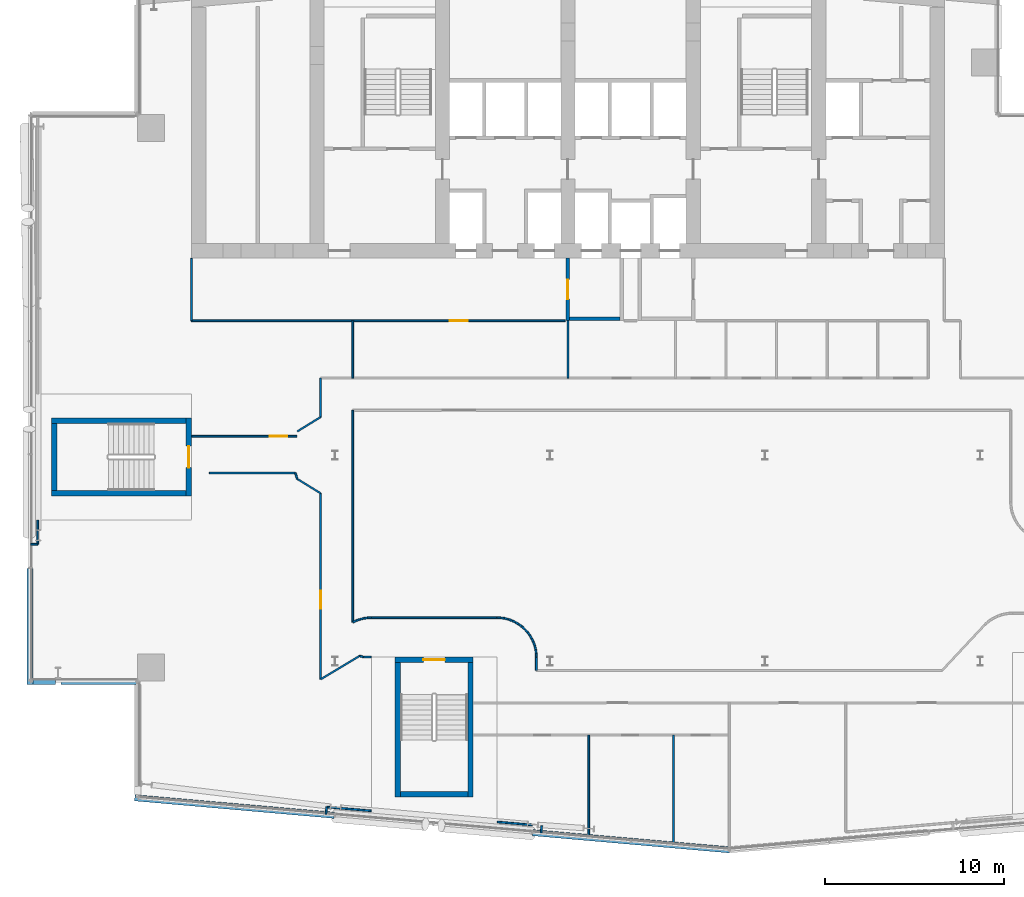
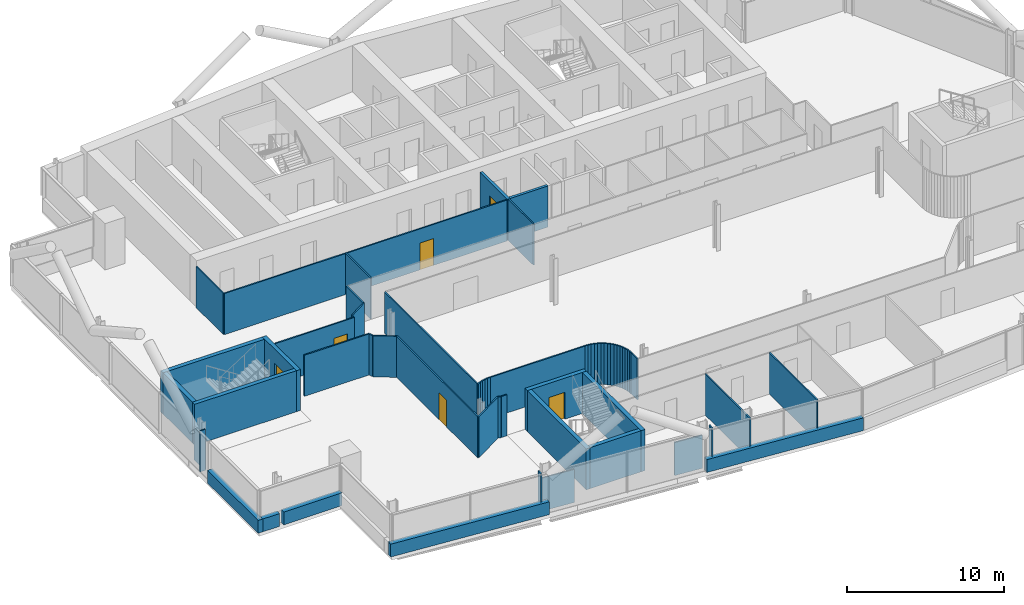
# One storey, part 15 of 29: 61 walls, 6 doors, 6 openings.
"""IFC4 building model written with IfcOpenShell, lengths in metres."""

import ifcopenshell
import ifcopenshell.guid

model = None  # the IFC model being written
_history = None  # IfcOwnerHistory: only IFC2X3 demands one
_inside = {}  # id of a spatial element -> (the spatial element, [elements in it])
_under = {}  # id of a project, library or spatial element -> (it, [spatial elements below it])
_declared = {}  # id of a project -> (the project, [libraries it declares])
_typed = {}  # id of a type object -> (the type object, [elements of that type])
_made_of = {}  # id of a material, layer set ... -> (it, [elements and type objects made of it])


def new_model(schema):
    """Start an empty IFC model of exactly this schema.

    Asked for "IFC4X3", IfcOpenShell would pick the latest addendum, in which some entities
    have other attributes; the version numbers below select the first issue.
    IFC2X3 requires an IfcOwnerHistory on every rooted entity: one is made here for all.
    """
    global model, _history
    if schema == "IFC4X3":
        model = ifcopenshell.file(schema_version=(4, 3, 0, 0))
    else:
        model = ifcopenshell.file(schema=schema)
    _inside.clear()
    _under.clear()
    _declared.clear()
    _typed.clear()
    _made_of.clear()
    _history = None
    if model.schema == "IFC2X3":
        org = make("IfcOrganization", Name="unknown")
        user = make(
            "IfcPersonAndOrganization",
            ThePerson=make("IfcPerson", FamilyName="unknown"),
            TheOrganization=org,
        )
        app = make(
            "IfcApplication",
            ApplicationDeveloper=org,
            Version="unknown",
            ApplicationFullName="unknown",
            ApplicationIdentifier="unknown",
        )
        _history = make(
            "IfcOwnerHistory",
            OwningUser=user,
            OwningApplication=app,
            ChangeAction="ADDED",
            CreationDate=0,
        )
    return model


def make(cls, **values):
    """One entity of the class cls with the attributes given. An attribute that is None is left unset."""
    return model.create_entity(
        cls, **{name: value for name, value in values.items() if value is not None}
    )


def rooted(cls, **values):
    """An entity with a GlobalId (a new one), such as an element, a storey or a relation."""
    return make(cls, GlobalId=ifcopenshell.guid.new(), OwnerHistory=_history, **values)


def si_unit(unit_type, name, prefix=None):
    """IfcSIUnit, for example si_unit("LENGTHUNIT", "METRE", prefix="MILLI")."""
    return make("IfcSIUnit", UnitType=unit_type, Prefix=prefix, Name=name)


def assignment(units):
    """IfcUnitAssignment: the units of a project."""
    return None if units is None else make("IfcUnitAssignment", Units=units)


def point(xyz):
    """IfcCartesianPoint."""
    return None if xyz is None else make("IfcCartesianPoint", Coordinates=xyz)


def direction(xyz):
    """IfcDirection."""
    return None if xyz is None else make("IfcDirection", DirectionRatios=xyz)


def frame(location, z_axis=None, x_axis=None):
    """IfcAxis2Placement3D, a coordinate frame: its origin and axes. An axis left out is left unset."""
    return make(
        "IfcAxis2Placement3D",
        Location=point(location),
        Axis=direction(z_axis),
        RefDirection=direction(x_axis),
    )


def frame_2d(location, x_axis=None):
    """IfcAxis2Placement2D, a coordinate frame in the plane: its origin and x axis."""
    return make(
        "IfcAxis2Placement2D", Location=point(location), RefDirection=direction(x_axis)
    )


def origin():
    """The frame at (0, 0, 0) with its axes left unset."""
    return frame((0.0, 0.0, 0.0))


def place(relative_to, where):
    """IfcLocalPlacement: puts the frame where relative to a parent placement (None: the world)."""
    return make(
        "IfcLocalPlacement", PlacementRelTo=relative_to, RelativePlacement=where
    )


def context(
    kind, dimensions, precision=None, world=None, true_north=None, identifier=None
):
    """IfcGeometricRepresentationContext, for example the 3D "Model" context."""
    return make(
        "IfcGeometricRepresentationContext",
        ContextIdentifier=identifier,
        ContextType=kind,
        CoordinateSpaceDimension=dimensions,
        Precision=precision,
        WorldCoordinateSystem=world,
        TrueNorth=true_north,
    )


def subcontext(parent, identifier, kind, view, scale=None):
    """IfcGeometricRepresentationSubContext, for example "Body" below "Model"."""
    return make(
        "IfcGeometricRepresentationSubContext",
        ContextIdentifier=identifier,
        ContextType=kind,
        ParentContext=parent,
        TargetScale=scale,
        TargetView=view,
    )


def project(units=None, contexts=None):
    """IfcProject with its units and contexts."""
    return rooted(
        "IfcProject",
        Name="project",
        RepresentationContexts=contexts,
        UnitsInContext=assignment(units),
    )


def spatial(cls, under=None, at=None, **own):
    """A site, building, storey or space (cls), placed at a placement, below another one or the project."""
    s = rooted(cls, ObjectPlacement=at, **own)
    if under is not None:
        _under.setdefault(under.id(), (under, []))[1].append(s)
    return s


def profile(cls, at=None, kind="AREA", **sizes):
    """A parametric profile (cls). Its sizes go by their IFC names, for example OverallWidth=200.0."""
    return make(cls, ProfileType=kind, Position=at, **sizes)


def rectangle(**sizes):
    """IfcRectangleProfileDef."""
    return profile("IfcRectangleProfileDef", **sizes)


def extrude(swept, where, along, depth):
    """IfcExtrudedAreaSolid: the profile swept, set in the frame where, extruded along a direction by depth."""
    return make(
        "IfcExtrudedAreaSolid",
        SweptArea=swept,
        Position=where,
        ExtrudedDirection=direction(along),
        Depth=depth,
    )


def shape(context_of_items, identifier, shape_type, items):
    """IfcShapeRepresentation: the items that make up one representation, for example the "Body"."""
    return make(
        "IfcShapeRepresentation",
        ContextOfItems=context_of_items,
        RepresentationIdentifier=identifier,
        RepresentationType=shape_type,
        Items=items,
    )


def material(Name=None, Category=None):
    """IfcMaterial."""
    return make("IfcMaterial", Name=Name, Category=Category)


def layer(
    of_material, thickness, ventilated=None, Name=None, Category=None, Priority=None
):
    """IfcMaterialLayer: one layer of a wall or slab, of a material (None: an air gap)."""
    return make(
        "IfcMaterialLayer",
        Material=of_material,
        LayerThickness=thickness,
        IsVentilated=ventilated,
        Name=Name,
        Category=Category,
        Priority=Priority,
    )


def layer_set(layers, Name=None):
    """IfcMaterialLayerSet."""
    return make("IfcMaterialLayerSet", MaterialLayers=layers, LayerSetName=Name)


def made_of(thing, what):
    """Note that an element or type object is made of a material, layer set ...; save() writes the relation."""
    if what is not None:
        _made_of.setdefault(what.id(), (what, []))[1].append(thing)
    return thing


def type_object(cls, material=None, **own):
    """A type object (cls), such as IfcWallType, which elements share."""
    return made_of(rooted(cls, **own), material)


def element(
    cls,
    number,
    at=None,
    inside=None,
    cuts=None,
    type_object=None,
    material=None,
    context=None,
    identifier="Body",
    shape_type=None,
    held_by="IfcProductDefinitionShape",
    body=None,
    shapes=None,
    **own,
):
    """One element of the class cls, such as IfcWall. Its Tag is "e" and its number.

    at: its placement. inside: the storey or other place that contains it. cuts: it is an
    opening in that element (IfcRelVoidsElement). A single representation is given by context,
    identifier, shape_type and body (its items); several are given by shapes. held_by: the class
    of the entity that holds the representations. save() writes the other relations.
    """
    e = rooted(cls, Tag="e%d" % number, ObjectPlacement=at, **own)
    if body is not None:
        shapes = [shape(context, identifier, shape_type, body)]
    if shapes is not None:
        e.Representation = make(held_by, Representations=shapes)
    if inside is not None:
        _inside.setdefault(inside.id(), (inside, []))[1].append(e)
    if cuts is not None:
        rooted(
            "IfcRelVoidsElement", RelatingBuildingElement=cuts, RelatedOpeningElement=e
        )
    if type_object is not None:
        _typed.setdefault(type_object.id(), (type_object, []))[1].append(e)
    return made_of(e, material)


def fill(opening, filler):
    """IfcRelFillsElement: the door or window that sits in an opening."""
    return rooted(
        "IfcRelFillsElement",
        RelatingOpeningElement=opening,
        RelatedBuildingElement=filler,
    )


def aggregate(whole, parts):
    """IfcRelAggregates: a whole, such as a stair, and the parts it consists of."""
    return rooted("IfcRelAggregates", RelatingObject=whole, RelatedObjects=parts)


def save(model, path):
    """Write the relations noted so far, then the file.

    IfcRelAggregates (storeys below a building ...), IfcRelContainedInSpatialStructure (elements
    in a storey), IfcRelDefinesByType, IfcRelAssociatesMaterial and IfcRelDeclares: one each for
    every whole, place, type object, material and project.
    """
    for whole, parts in _under.values():
        aggregate(whole, parts)
    for where, things in _inside.values():
        rooted(
            "IfcRelContainedInSpatialStructure",
            RelatedElements=things,
            RelatingStructure=where,
        )
    for kind, things in _typed.values():
        rooted("IfcRelDefinesByType", RelatedObjects=things, RelatingType=kind)
    for what, things in _made_of.values():
        rooted("IfcRelAssociatesMaterial", RelatedObjects=things, RelatingMaterial=what)
    for by, libraries in _declared.values():
        rooted("IfcRelDeclares", RelatingContext=by, RelatedDefinitions=libraries)
    model.write(path)


model = new_model("IFC4")

# Units and contexts
model_context = context("Model", 3, precision=1e-05, world=origin(), true_north=direction((0.0, 1.0)))
body_context = subcontext(model_context, "Body", "Model", "MODEL_VIEW")
ifc_project = project(units=[si_unit("LENGTHUNIT", "METRE"), si_unit("AREAUNIT", "SQUARE_METRE"), si_unit("VOLUMEUNIT", "CUBIC_METRE"), si_unit("PLANEANGLEUNIT", "RADIAN"), si_unit("MASSUNIT", "GRAM", prefix="KILO")], contexts=[model_context])

# Site, building, storey
site_placement = place(None, origin())
site = spatial("IfcSite", under=ifc_project, at=site_placement, CompositionType="ELEMENT")
building_placement = place(site_placement, origin())
building = spatial("IfcBuilding", under=site, at=building_placement, Name="Wharfspan Tower", CompositionType="ELEMENT")
storey_placement = place(building_placement, frame((0.0, 0.0, 162.699951)))
storey = spatial("IfcBuildingStorey", under=building, at=storey_placement, Name="L39", CompositionType="ELEMENT", Elevation=162.699951)

# Wall
ifc_material_1 = material(Name="Gypsum board on steel studs", Category="steel")
ifc_layer_1 = layer(ifc_material_1, 0.100098)
ifc_layer_set_1 = layer_set([ifc_layer_1], Name="Gypsum board on steel studs")
wall_type_1 = type_object("IfcWallType", Name="Compartment wall 100 EI 60", PredefinedType="PARTITIONING", material=ifc_layer_set_1)
wall_1_placement = place(storey_placement, frame((16.0, 30.5, 0.0), z_axis=(0.0, 0.0, 1.0), x_axis=(0.0, 1.0, 0.0)))
element("IfcWall", 1, at=wall_1_placement, inside=storey, type_object=wall_type_1, Name="Partition L39.w004", PredefinedType="PARTITIONING", context=body_context, shape_type="SweptSolid", body=[
    extrude(rectangle(XDim=3.47998, YDim=0.100098, at=frame_2d((1.73999, 0.0))), origin(), (0.0, 0.0, 1.0), 3.199951),
])

# Wall, opening, door
wall_2_placement = place(storey_placement, frame((16.0, 30.5, 0.0), z_axis=(0.0, 0.0, 1.0), x_axis=(1.0, 0.0, 0.0)))
wall_2 = element("IfcWall", 2, at=wall_2_placement, inside=storey, type_object=wall_type_1, Name="Partition L39.w005", PredefinedType="PARTITIONING", context=body_context, shape_type="SweptSolid", body=[
    extrude(rectangle(XDim=20.850098, YDim=0.100098, at=frame_2d((10.425049, 0.0))), origin(), (0.0, 0.0, 1.0), 3.199951),
])
opening_1_placement = place(wall_2_placement, frame((14.419922, 0.0, 0.0)))
opening_1 = element("IfcOpeningElement", 3, at=opening_1_placement, cuts=wall_2, Name="Opening C2-18", PredefinedType="OPENING", context=body_context, shape_type="SweptSolid", body=[
    extrude(rectangle(XDim=1.0, YDim=2.100098, at=frame_2d((0.5, 1.050049))), frame((0.0, 0.060059, 0.0), z_axis=(0.0, -1.0, 0.0), x_axis=(1.0, 0.0, 0.0)), (0.0, 0.0, 1.0), 0.120117),
])
ifc_material_2 = material(Name="Fire-rated timber door leaf in steel frame", Category="steel")
door_type_1 = type_object("IfcDoorType", Name="Door 1000 FD30S Left", OperationType="SINGLE_SWING_LEFT", PredefinedType="DOOR", material=ifc_material_2)
door_1_placement = place(opening_1_placement, origin())
door_1 = element("IfcDoor", 4, at=door_1_placement, inside=storey, type_object=door_type_1, Name="Door C2-18", OperationType="SINGLE_SWING_LEFT", OverallHeight=2.100098, OverallWidth=1.0, PredefinedType="DOOR", context=body_context, shape_type="SweptSolid", body=[
    extrude(rectangle(XDim=1.0, YDim=2.100098, at=frame_2d((0.5, 1.050049))), frame((0.0, 0.024902, 0.0), z_axis=(0.0, -1.0, 0.0), x_axis=(1.0, 0.0, 0.0)), (0.0, 0.0, 1.0), 0.050049),
])
fill(opening_1, door_1)

# Wall
wall_3_placement = place(storey_placement, frame((17.0, 22.0, 0.0), z_axis=(0.0, 0.0, 1.0), x_axis=(1.0, 0.0, 0.0)))
element("IfcWall", 5, at=wall_3_placement, inside=storey, type_object=wall_type_1, Name="Partition L39.w006", PredefinedType="PARTITIONING", context=body_context, shape_type="SweptSolid", body=[
    extrude(rectangle(XDim=4.794922, YDim=0.100098, at=frame_2d((2.397461, 0.0))), origin(), (0.0, 0.0, 1.0), 3.199951),
])

# Wall, opening, door
wall_4_placement = place(storey_placement, frame((16.02002, 24.050049, 0.0), z_axis=(0.0, 0.0, 1.0), x_axis=(1.0, 0.0, 0.0)))
wall_4 = element("IfcWall", 6, at=wall_4_placement, inside=storey, type_object=wall_type_1, Name="Partition L39.w007", PredefinedType="PARTITIONING", context=body_context, shape_type="SweptSolid", body=[
    extrude(rectangle(XDim=5.85498, YDim=0.100098, at=frame_2d((2.92749, 0.0))), origin(), (0.0, 0.0, 1.0), 3.199951),
])
opening_2_placement = place(wall_4_placement, frame((4.33252, 0.0, 0.0)))
opening_2 = element("IfcOpeningElement", 7, at=opening_2_placement, cuts=wall_4, Name="Opening C2-09", PredefinedType="OPENING", context=body_context, shape_type="SweptSolid", body=[
    extrude(rectangle(XDim=1.0, YDim=2.100098, at=frame_2d((0.5, 1.050049))), frame((0.0, 0.060059, 0.0), z_axis=(0.0, -1.0, 0.0), x_axis=(1.0, 0.0, 0.0)), (0.0, 0.0, 1.0), 0.120117),
])
door_type_2 = type_object("IfcDoorType", Name="Door 1000 FD30S Right", OperationType="SINGLE_SWING_RIGHT", PredefinedType="DOOR", material=ifc_material_2)
door_2_placement = place(opening_2_placement, origin())
door_2 = element("IfcDoor", 8, at=door_2_placement, inside=storey, type_object=door_type_2, Name="Door C2-09", OperationType="SINGLE_SWING_RIGHT", OverallHeight=2.100098, OverallWidth=1.0, PredefinedType="DOOR", context=body_context, shape_type="SweptSolid", body=[
    extrude(rectangle(XDim=1.0, YDim=2.100098, at=frame_2d((0.5, 1.050049))), frame((0.0, 0.024902, 0.0), z_axis=(0.0, -1.0, 0.0), x_axis=(1.0, 0.0, 0.0)), (0.0, 0.0, 1.0), 0.050049),
])
fill(opening_2, door_2)

# Walls
wall_5_placement = place(storey_placement, frame((21.899902, 21.675049, 0.0), z_axis=(0.0, 0.0, 1.0), x_axis=(-0.30742, 0.951572, 0.0)))
element("IfcWall", 9, at=wall_5_placement, inside=storey, type_object=wall_type_1, Name="Partition L39.w008", PredefinedType="PARTITIONING", context=body_context, shape_type="SweptSolid", body=[
    extrude(rectangle(XDim=0.341553, YDim=0.100098, at=frame_2d((0.170898, 0.0))), origin(), (0.0, 0.0, 1.0), 3.199951),
])
for number, where, z_axis, x_axis, name in (
    (10, (21.899902, 24.324951, 0.0), (0.0, 0.0, 1.0), (0.851649, 0.524104, 0.0), "Partition L39.w009"),
    (11, (23.199951, 20.875, 0.0), (0.0, 0.0, 1.0), (-0.851649, 0.524104, 0.0), "Partition L39.w010"),
):
    element("IfcWall", number, at=place(storey_placement, frame(where, z_axis=z_axis, x_axis=x_axis)), inside=storey, type_object=wall_type_1, Name=name, PredefinedType="PARTITIONING", context=body_context, shape_type="SweptSolid", body=[
        extrude(rectangle(XDim=1.526611, YDim=0.100098, at=frame_2d((0.763184, 0.0))), origin(), (0.0, 0.0, 1.0), 3.199951),
    ])
wall_6_placement = place(storey_placement, frame((23.199951, 10.495117, 0.0), z_axis=(0.0, 0.0, 1.0), x_axis=(0.857707, 0.514145, 0.0)))
element("IfcWall", 12, at=wall_6_placement, inside=storey, type_object=wall_type_1, Name="Partition L39.w011", PredefinedType="PARTITIONING", context=body_context, shape_type="SweptSolid", body=[
    extrude(rectangle(XDim=2.547607, YDim=0.100098, at=frame_2d((1.273926, 0.0))), origin(), (0.0, 0.0, 1.0), 3.199951),
])

# Wall, opening, door
wall_7_placement = place(storey_placement, frame((23.199951, 10.495117, 0.0), z_axis=(0.0, 0.0, 1.0), x_axis=(0.0, 1.0, 0.0)))
wall_7 = element("IfcWall", 13, at=wall_7_placement, inside=storey, type_object=wall_type_1, Name="Partition L39.w012", PredefinedType="PARTITIONING", context=body_context, shape_type="SweptSolid", body=[
    extrude(rectangle(XDim=10.379883, YDim=0.100098, at=frame_2d((5.189941, 0.0))), origin(), (0.0, 0.0, 1.0), 3.199951),
])
opening_3_placement = place(wall_7_placement, frame((3.947998, 0.0, 0.0)))
opening_3 = element("IfcOpeningElement", 14, at=opening_3_placement, cuts=wall_7, Name="Opening C2-07", PredefinedType="OPENING", context=body_context, shape_type="SweptSolid", body=[
    extrude(rectangle(XDim=1.0, YDim=2.100098, at=frame_2d((0.5, 1.050049))), frame((0.0, 0.060059, 0.0), z_axis=(0.0, -1.0, 0.0), x_axis=(1.0, 0.0, 0.0)), (0.0, 0.0, 1.0), 0.120117),
])
door_3_placement = place(opening_3_placement, origin())
door_3 = element("IfcDoor", 15, at=door_3_placement, inside=storey, type_object=door_type_1, Name="Door C2-07", OperationType="SINGLE_SWING_LEFT", OverallHeight=2.100098, OverallWidth=1.0, PredefinedType="DOOR", context=body_context, shape_type="SweptSolid", body=[
    extrude(rectangle(XDim=1.0, YDim=2.100098, at=frame_2d((0.5, 1.050049))), frame((0.0, 0.024902, 0.0), z_axis=(0.0, -1.0, 0.0), x_axis=(1.0, 0.0, 0.0)), (0.0, 0.0, 1.0), 0.050049),
])
fill(opening_3, door_3)

# Walls
wall_8_placement = place(storey_placement, frame((23.199951, 25.125, 0.0), z_axis=(0.0, 0.0, 1.0), x_axis=(0.0, 1.0, 0.0)))
element("IfcWall", 16, at=wall_8_placement, inside=storey, type_object=wall_type_1, Name="Partition L39.w013", PredefinedType="PARTITIONING", context=body_context, shape_type="SweptSolid", body=[
    extrude(rectangle(XDim=2.175049, YDim=0.100098, at=frame_2d((1.087402, 0.0))), origin(), (0.0, 0.0, 1.0), 3.199951),
])
wall_9_placement = place(storey_placement, frame((25.0, 27.300049, 0.0), z_axis=(0.0, 0.0, 1.0), x_axis=(0.0, 1.0, 0.0)))
element("IfcWall", 17, at=wall_9_placement, inside=storey, type_object=wall_type_1, Name="Partition L39.w016", PredefinedType="PARTITIONING", context=body_context, shape_type="SweptSolid", body=[
    extrude(rectangle(XDim=3.199951, YDim=0.100098, at=frame_2d((1.600098, 0.0))), origin(), (0.0, 0.0, 1.0), 3.199951),
])
wall_10_placement = place(storey_placement, frame((25.0, 13.675049, 0.0), z_axis=(0.0, 0.0, 1.0), x_axis=(0.0, 1.0, 0.0)))
element("IfcWall", 18, at=wall_10_placement, inside=storey, type_object=wall_type_1, Name="Partition L39.w017", PredefinedType="PARTITIONING", context=body_context, shape_type="SweptSolid", body=[
    extrude(rectangle(XDim=11.824951, YDim=0.100098, at=frame_2d((5.912598, 0.0))), origin(), (0.0, 0.0, 1.0), 3.199951),
])
wall_11_placement = place(storey_placement, frame((25.0, 13.675049, 0.0), z_axis=(0.0, 0.0, 1.0), x_axis=(0.899103, 0.437736, 0.0)))
element("IfcWall", 19, at=wall_11_placement, inside=storey, type_object=wall_type_1, Name="Partition L39.w018", PredefinedType="PARTITIONING", context=body_context, shape_type="SweptSolid", body=[
    extrude(rectangle(XDim=0.217041, YDim=0.100098, at=frame_2d((0.108398, 0.0))), origin(), (0.0, 0.0, 1.0), 3.199951),
])
wall_12_placement = place(storey_placement, frame((25.195068, 13.77002, 0.0), z_axis=(0.0, 0.0, 1.0), x_axis=(0.94617, 0.32366, 0.0)))
element("IfcWall", 20, at=wall_12_placement, inside=storey, type_object=wall_type_1, Name="Partition L39.w020", PredefinedType="PARTITIONING", context=body_context, shape_type="SweptSolid", body=[
    extrude(rectangle(XDim=0.216553, YDim=0.100098, at=frame_2d((0.108398, 0.0))), origin(), (0.0, 0.0, 1.0), 3.199951),
])
wall_13_placement = place(storey_placement, frame((25.399902, 13.840088, 0.0), z_axis=(0.0, 0.0, 1.0), x_axis=(0.967508, 0.252833, 0.0)))
element("IfcWall", 21, at=wall_13_placement, inside=storey, type_object=wall_type_1, Name="Partition L39.w021", PredefinedType="PARTITIONING", context=body_context, shape_type="SweptSolid", body=[
    extrude(rectangle(XDim=0.217285, YDim=0.100098, at=frame_2d((0.108643, 0.0))), origin(), (0.0, 0.0, 1.0), 3.199951),
])
wall_14_placement = place(storey_placement, frame((25.590088, 11.735107, 0.0), z_axis=(0.0, 0.0, 1.0), x_axis=(1.0, 0.0, 0.0)))
element("IfcWall", 22, at=wall_14_placement, inside=storey, type_object=wall_type_1, Name="Partition L39.w022", PredefinedType="PARTITIONING", context=body_context, shape_type="SweptSolid", body=[
    extrude(rectangle(XDim=0.429199, YDim=0.100098, at=frame_2d((0.2146, 0.0))), origin(), (0.0, 0.0, 1.0), 3.199951),
])
wall_15_placement = place(storey_placement, frame((25.590088, 11.735107, 0.0), z_axis=(0.0, 0.0, 1.0), x_axis=(-0.946633, 0.322306, 0.0)))
element("IfcWall", 23, at=wall_15_placement, inside=storey, type_object=wall_type_1, Name="Partition L39.w023", PredefinedType="PARTITIONING", context=body_context, shape_type="SweptSolid", body=[
    extrude(rectangle(XDim=0.216553, YDim=0.100098, at=frame_2d((0.108398, 0.0))), origin(), (0.0, 0.0, 1.0), 3.199951),
])
wall_16_placement = place(storey_placement, frame((25.610107, 13.89502, 0.0), z_axis=(0.0, 0.0, 1.0), x_axis=(0.990372, 0.138427, 0.0)))
element("IfcWall", 24, at=wall_16_placement, inside=storey, type_object=wall_type_1, Name="Partition L39.w024", PredefinedType="PARTITIONING", context=body_context, shape_type="SweptSolid", body=[
    extrude(rectangle(XDim=0.217041, YDim=0.100098, at=frame_2d((0.108398, 0.0))), origin(), (0.0, 0.0, 1.0), 3.199951),
])
wall_17_placement = place(storey_placement, frame((25.824951, 13.925049, 0.0), z_axis=(0.0, 0.0, 1.0), x_axis=(0.998923, 0.046488, 0.0)))
element("IfcWall", 25, at=wall_17_placement, inside=storey, type_object=wall_type_1, Name="Partition L39.w025", PredefinedType="PARTITIONING", context=body_context, shape_type="SweptSolid", body=[
    extrude(rectangle(XDim=0.215332, YDim=0.100098, at=frame_2d((0.107666, 0.0))), origin(), (0.0, 0.0, 1.0), 3.199951),
])
wall_18_placement = place(storey_placement, frame((26.040039, 13.935059, 0.0), z_axis=(0.0, 0.0, 1.0), x_axis=(1.0, 0.0, 0.0)))
element("IfcWall", 26, at=wall_18_placement, inside=storey, type_object=wall_type_1, Name="Partition L39.w027", PredefinedType="PARTITIONING", context=body_context, shape_type="SweptSolid", body=[
    extrude(rectangle(XDim=7.0, YDim=0.100098, at=frame_2d((3.5, 0.0))), origin(), (0.0, 0.0, 1.0), 3.199951),
])
wall_19_placement = place(storey_placement, frame((33.254883, 13.925049, 0.0), z_axis=(0.0, 0.0, 1.0), x_axis=(-0.998912, 0.04654, 0.0)))
element("IfcWall", 27, at=wall_19_placement, inside=storey, type_object=wall_type_1, Name="Partition L39.w030", PredefinedType="PARTITIONING", context=body_context, shape_type="SweptSolid", body=[
    extrude(rectangle(XDim=0.215088, YDim=0.100098, at=frame_2d((0.107422, 0.0))), origin(), (0.0, 0.0, 1.0), 3.199951),
])
wall_20_placement = place(storey_placement, frame((33.469971, 13.89502, 0.0), z_axis=(0.0, 0.0, 1.0), x_axis=(-0.990394, 0.138273, 0.0)))
element("IfcWall", 28, at=wall_20_placement, inside=storey, type_object=wall_type_1, Name="Partition L39.w031", PredefinedType="PARTITIONING", context=body_context, shape_type="SweptSolid", body=[
    extrude(rectangle(XDim=0.217285, YDim=0.100098, at=frame_2d((0.108643, 0.0))), origin(), (0.0, 0.0, 1.0), 3.199951),
])
wall_21_placement = place(storey_placement, frame((33.679932, 13.840088, 0.0), z_axis=(0.0, 0.0, 1.0), x_axis=(-0.967435, 0.253108, 0.0)))
element("IfcWall", 29, at=wall_21_placement, inside=storey, type_object=wall_type_1, Name="Partition L39.w032", PredefinedType="PARTITIONING", context=body_context, shape_type="SweptSolid", body=[
    extrude(rectangle(XDim=0.217041, YDim=0.100098, at=frame_2d((0.108398, 0.0))), origin(), (0.0, 0.0, 1.0), 3.199951),
])
wall_22_placement = place(storey_placement, frame((33.879883, 13.77002, 0.0), z_axis=(0.0, 0.0, 1.0), x_axis=(-0.943736, 0.330711, 0.0)))
element("IfcWall", 30, at=wall_22_placement, inside=storey, type_object=wall_type_1, Name="Partition L39.w033", PredefinedType="PARTITIONING", context=body_context, shape_type="SweptSolid", body=[
    extrude(rectangle(XDim=0.211914, YDim=0.100098, at=frame_2d((0.105957, 0.0))), origin(), (0.0, 0.0, 1.0), 3.199951),
])
wall_23_placement = place(storey_placement, frame((34.074951, 13.675049, 0.0), z_axis=(0.0, 0.0, 1.0), x_axis=(-0.899103, 0.437736, 0.0)))
element("IfcWall", 31, at=wall_23_placement, inside=storey, type_object=wall_type_1, Name="Partition L39.w034", PredefinedType="PARTITIONING", context=body_context, shape_type="SweptSolid", body=[
    extrude(rectangle(XDim=0.217041, YDim=0.100098, at=frame_2d((0.108398, 0.0))), origin(), (0.0, 0.0, 1.0), 3.199951),
])
wall_24_placement = place(storey_placement, frame((34.26001, 13.564941, 0.0), z_axis=(0.0, 0.0, 1.0), x_axis=(-0.859387, 0.511324, 0.0)))
element("IfcWall", 32, at=wall_24_placement, inside=storey, type_object=wall_type_1, Name="Partition L39.w035", PredefinedType="PARTITIONING", context=body_context, shape_type="SweptSolid", body=[
    extrude(rectangle(XDim=0.215332, YDim=0.100098, at=frame_2d((0.107666, 0.0))), origin(), (0.0, 0.0, 1.0), 3.199951),
])
wall_25_placement = place(storey_placement, frame((34.435059, 13.435059, 0.0), z_axis=(0.0, 0.0, 1.0), x_axis=(-0.803079, 0.595869, 0.0)))
element("IfcWall", 33, at=wall_25_placement, inside=storey, type_object=wall_type_1, Name="Partition L39.w036", PredefinedType="PARTITIONING", context=body_context, shape_type="SweptSolid", body=[
    extrude(rectangle(XDim=0.218018, YDim=0.100098, at=frame_2d((0.108887, 0.0))), origin(), (0.0, 0.0, 1.0), 3.199951),
])
wall_26_placement = place(storey_placement, frame((34.594971, 13.290039, 0.0), z_axis=(0.0, 0.0, 1.0), x_axis=(-0.740762, 0.671775, 0.0)))
element("IfcWall", 34, at=wall_26_placement, inside=storey, type_object=wall_type_1, Name="Partition L39.w037", PredefinedType="PARTITIONING", context=body_context, shape_type="SweptSolid", body=[
    extrude(rectangle(XDim=0.21582, YDim=0.100098, at=frame_2d((0.10791, 0.0))), origin(), (0.0, 0.0, 1.0), 3.199951),
])
wall_27_placement = place(storey_placement, frame((34.73999, 13.129883, 0.0), z_axis=(0.0, 0.0, 1.0), x_axis=(-0.67121, 0.741269, 0.0)))
element("IfcWall", 35, at=wall_27_placement, inside=storey, type_object=wall_type_1, Name="Partition L39.w038", PredefinedType="PARTITIONING", context=body_context, shape_type="SweptSolid", body=[
    extrude(rectangle(XDim=0.216064, YDim=0.100098, at=frame_2d((0.10791, 0.0))), origin(), (0.0, 0.0, 1.0), 3.199951),
])
wall_28_placement = place(storey_placement, frame((34.870117, 12.955078, 0.0), z_axis=(0.0, 0.0, 1.0), x_axis=(-0.597126, 0.802143, 0.0)))
element("IfcWall", 36, at=wall_28_placement, inside=storey, type_object=wall_type_1, Name="Partition L39.w039", PredefinedType="PARTITIONING", context=body_context, shape_type="SweptSolid", body=[
    extrude(rectangle(XDim=0.218018, YDim=0.100098, at=frame_2d((0.108887, 0.0))), origin(), (0.0, 0.0, 1.0), 3.199951),
])
wall_29_placement = place(storey_placement, frame((34.97998, 12.77002, 0.0), z_axis=(0.0, 0.0, 1.0), x_axis=(-0.510487, 0.859887, 0.0)))
element("IfcWall", 37, at=wall_29_placement, inside=storey, type_object=wall_type_1, Name="Partition L39.w040", PredefinedType="PARTITIONING", context=body_context, shape_type="SweptSolid", body=[
    extrude(rectangle(XDim=0.215332, YDim=0.100098, at=frame_2d((0.107666, 0.0))), origin(), (0.0, 0.0, 1.0), 3.199951),
])
wall_30_placement = place(storey_placement, frame((35.074951, 12.574951, 0.0), z_axis=(0.0, 0.0, 1.0), x_axis=(-0.437736, 0.899103, 0.0)))
element("IfcWall", 38, at=wall_30_placement, inside=storey, type_object=wall_type_1, Name="Partition L39.w042", PredefinedType="PARTITIONING", context=body_context, shape_type="SweptSolid", body=[
    extrude(rectangle(XDim=0.217041, YDim=0.100098, at=frame_2d((0.108398, 0.0))), origin(), (0.0, 0.0, 1.0), 3.199951),
])
wall_31_placement = place(storey_placement, frame((35.14502, 12.375, 0.0), z_axis=(0.0, 0.0, 1.0), x_axis=(-0.330711, 0.943736, 0.0)))
element("IfcWall", 39, at=wall_31_placement, inside=storey, type_object=wall_type_1, Name="Partition L39.w043", PredefinedType="PARTITIONING", context=body_context, shape_type="SweptSolid", body=[
    extrude(rectangle(XDim=0.211914, YDim=0.100098, at=frame_2d((0.105957, 0.0))), origin(), (0.0, 0.0, 1.0), 3.199951),
])
wall_32_placement = place(storey_placement, frame((35.199951, 12.165039, 0.0), z_axis=(0.0, 0.0, 1.0), x_axis=(-0.253108, 0.967435, 0.0)))
element("IfcWall", 40, at=wall_32_placement, inside=storey, type_object=wall_type_1, Name="Partition L39.w044", PredefinedType="PARTITIONING", context=body_context, shape_type="SweptSolid", body=[
    extrude(rectangle(XDim=0.217041, YDim=0.100098, at=frame_2d((0.108398, 0.0))), origin(), (0.0, 0.0, 1.0), 3.199951),
])
wall_33_placement = place(storey_placement, frame((35.22998, 11.949951, 0.0), z_axis=(0.0, 0.0, 1.0), x_axis=(-0.138273, 0.990394, 0.0)))
element("IfcWall", 41, at=wall_33_placement, inside=storey, type_object=wall_type_1, Name="Partition L39.w045", PredefinedType="PARTITIONING", context=body_context, shape_type="SweptSolid", body=[
    extrude(rectangle(XDim=0.217285, YDim=0.100098, at=frame_2d((0.108643, 0.0))), origin(), (0.0, 0.0, 1.0), 3.199951),
])
wall_34_placement = place(storey_placement, frame((35.23999, 11.735107, 0.0), z_axis=(0.0, 0.0, 1.0), x_axis=(-0.04654, 0.998912, 0.0)))
element("IfcWall", 42, at=wall_34_placement, inside=storey, type_object=wall_type_1, Name="Partition L39.w046", PredefinedType="PARTITIONING", context=body_context, shape_type="SweptSolid", body=[
    extrude(rectangle(XDim=0.215088, YDim=0.100098, at=frame_2d((0.107422, 0.0))), origin(), (0.0, 0.0, 1.0), 3.199951),
])
wall_35_placement = place(storey_placement, frame((35.23999, 10.98999, 0.0), z_axis=(0.0, 0.0, 1.0), x_axis=(0.0, 1.0, 0.0)))
element("IfcWall", 43, at=wall_35_placement, inside=storey, type_object=wall_type_1, Name="Partition L39.w047", PredefinedType="PARTITIONING", context=body_context, shape_type="SweptSolid", body=[
    extrude(rectangle(XDim=0.745117, YDim=0.100098, at=frame_2d((0.372559, 0.0))), origin(), (0.0, 0.0, 1.0), 3.199951),
])
wall_36_placement = place(storey_placement, frame((37.0, 27.300049, 0.0), z_axis=(0.0, 0.0, 1.0), x_axis=(0.0, 1.0, 0.0)))
element("IfcWall", 44, at=wall_36_placement, inside=storey, type_object=wall_type_1, Name="Partition L39.w050", PredefinedType="PARTITIONING", context=body_context, shape_type="SweptSolid", body=[
    extrude(rectangle(XDim=3.199951, YDim=0.100098, at=frame_2d((1.600098, 0.0))), origin(), (0.0, 0.0, 1.0), 3.199951),
])

# Wall, opening, door
ifc_material_3 = material(Name="Concrete C30/37", Category="concrete")
ifc_layer_2 = layer(ifc_material_3, 0.199951)
ifc_layer_set_2 = layer_set([ifc_layer_2], Name="Concrete C30/37")
wall_type_2 = type_object("IfcWallType", Name="Lobby wall 200", PredefinedType="PARTITIONING", material=ifc_layer_set_2)
wall_37_placement = place(storey_placement, frame((37.0, 30.5, 0.0), z_axis=(0.0, 0.0, 1.0), x_axis=(0.0, 1.0, 0.0)))
wall_37 = element("IfcWall", 45, at=wall_37_placement, inside=storey, type_object=wall_type_2, Name="sw:L39:FLFF1W", PredefinedType="PARTITIONING", context=body_context, shape_type="SweptSolid", body=[
    extrude(rectangle(XDim=3.5, YDim=0.199951, at=frame_2d((1.75, 0.0))), origin(), (0.0, 0.0, 1.0), 3.199951),
])
opening_4_placement = place(wall_37_placement, frame((1.199951, 0.0, 0.0)))
opening_4 = element("IfcOpeningElement", 46, at=opening_4_placement, cuts=wall_37, Name="Opening FL.FF1.L39", PredefinedType="OPENING", context=body_context, shape_type="SweptSolid", body=[
    extrude(rectangle(XDim=1.100098, YDim=2.100098, at=frame_2d((0.550049, 1.050049))), frame((0.0, 0.109863, 0.0), z_axis=(0.0, -1.0, 0.0), x_axis=(1.0, 0.0, 0.0)), (0.0, 0.0, 1.0), 0.219971),
])
ifc_material_4 = material(Name="Steel door leaf", Category="steel")
door_type_3 = type_object("IfcDoorType", Name="Firefighting lobby door 1100x2100", OperationType="SINGLE_SWING_LEFT", PredefinedType="DOOR", material=ifc_material_4)
door_4_placement = place(opening_4_placement, origin())
door_4 = element("IfcDoor", 47, at=door_4_placement, inside=storey, type_object=door_type_3, Name="fd:L39:FF1", OperationType="SINGLE_SWING_LEFT", OverallHeight=2.100098, OverallWidth=1.100098, PredefinedType="DOOR", context=body_context, shape_type="SweptSolid", body=[
    extrude(rectangle(XDim=1.100098, YDim=2.100098, at=frame_2d((0.550049, 1.050049))), frame((0.0, 0.024902, 0.0), z_axis=(0.0, -1.0, 0.0), x_axis=(1.0, 0.0, 0.0)), (0.0, 0.0, 1.0), 0.050049),
])
fill(opening_4, door_4)

# Walls
wall_38_placement = place(storey_placement, frame((37.100098, 30.600098, 0.0), z_axis=(0.0, 0.0, 1.0), x_axis=(1.0, 0.0, 0.0)))
element("IfcWall", 48, at=wall_38_placement, inside=storey, type_object=wall_type_2, Name="sw:L39:FLFF1F", PredefinedType="PARTITIONING", context=body_context, shape_type="SweptSolid", body=[
    extrude(rectangle(XDim=2.799805, YDim=0.199951, at=frame_2d((1.399902, 0.0))), origin(), (0.0, 0.0, 1.0), 3.199951),
])
ifc_layer_3 = layer(ifc_material_1, 0.100098)
ifc_layer_set_3 = layer_set([ifc_layer_3], Name="Gypsum board on steel studs")
wall_type_3 = type_object("IfcWallType", Name="Partition 100", PredefinedType="PARTITIONING", material=ifc_layer_set_3)
wall_39_placement = place(storey_placement, frame((7.02002, 18.034912, 0.0), z_axis=(0.0, 0.0, 1.0), x_axis=(1.0, 0.0, 0.0)))
element("IfcWall", 49, at=wall_39_placement, inside=storey, type_object=wall_type_3, Name="Partition L39.w001", PredefinedType="PARTITIONING", context=body_context, shape_type="SweptSolid", body=[
    extrude(rectangle(XDim=0.399902, YDim=0.100098, at=frame_2d((0.199951, 0.0))), origin(), (0.0, 0.0, 1.0), 3.199951),
])
wall_40_placement = place(storey_placement, frame((7.419922, 18.034912, 0.0), z_axis=(0.0, 0.0, 1.0), x_axis=(0.0, 1.0, 0.0)))
element("IfcWall", 50, at=wall_40_placement, inside=storey, type_object=wall_type_3, Name="Partition L39.w002", PredefinedType="PARTITIONING", context=body_context, shape_type="SweptSolid", body=[
    extrude(rectangle(XDim=1.344971, YDim=0.100098, at=frame_2d((0.672363, 0.0))), origin(), (0.0, 0.0, 1.0), 2.580078),
])
wall_41_placement = place(storey_placement, frame((23.502197, 2.976318, 0.0), z_axis=(0.0, 0.0, 1.0), x_axis=(0.095654, 0.995419, 0.0)))
element("IfcWall", 51, at=wall_41_placement, inside=storey, type_object=wall_type_3, Name="Partition L39.w015", PredefinedType="PARTITIONING", context=body_context, shape_type="SweptSolid", body=[
    extrude(rectangle(XDim=0.395508, YDim=0.100098, at=frame_2d((0.197754, 0.0))), origin(), (0.0, 0.0, 1.0), 3.199951),
])
wall_42_placement = place(storey_placement, frame((26.019287, 3.156738, 0.0), z_axis=(0.0, 0.0, 1.0), x_axis=(-0.996317, 0.085749, 0.0)))
element("IfcWall", 52, at=wall_42_placement, inside=storey, type_object=wall_type_3, Name="Partition L39.w026", PredefinedType="PARTITIONING", context=body_context, shape_type="SweptSolid", body=[
    extrude(rectangle(XDim=2.488525, YDim=0.100098, at=frame_2d((1.244141, 0.0))), origin(), (0.0, 0.0, 1.0), 2.580078),
])
wall_43_placement = place(storey_placement, frame((35.0, 2.370117, 0.0), z_axis=(0.0, 0.0, 1.0), x_axis=(-0.996265, 0.086343, 0.0)))
element("IfcWall", 53, at=wall_43_placement, inside=storey, type_object=wall_type_3, Name="Partition L39.w041", PredefinedType="PARTITIONING", context=body_context, shape_type="SweptSolid", body=[
    extrude(rectangle(XDim=1.948242, YDim=0.100098, at=frame_2d((0.974121, 0.0))), origin(), (0.0, 0.0, 1.0), 2.580078),
])
wall_44_placement = place(storey_placement, frame((35.501709, 1.926514, 0.0), z_axis=(0.0, 0.0, 1.0), x_axis=(0.083045, 0.996542, 0.0)))
element("IfcWall", 54, at=wall_44_placement, inside=storey, type_object=wall_type_3, Name="Partition L39.w049", PredefinedType="PARTITIONING", context=body_context, shape_type="SweptSolid", body=[
    extrude(rectangle(XDim=0.399902, YDim=0.100098, at=frame_2d((0.199951, 0.0))), origin(), (0.0, 0.0, 1.0), 3.199951),
])
wall_45_placement = place(storey_placement, frame((38.159912, 1.693848, 0.0), z_axis=(0.0, 0.0, 1.0), x_axis=(0.0, 1.0, 0.0)))
element("IfcWall", 55, at=wall_45_placement, inside=storey, type_object=wall_type_3, Name="Partition L39.w051", PredefinedType="PARTITIONING", context=body_context, shape_type="SweptSolid", body=[
    extrude(rectangle(XDim=5.691162, YDim=0.100098, at=frame_2d((2.845703, 0.0))), origin(), (0.0, 0.0, 1.0), 3.199951),
])
wall_46_placement = place(storey_placement, frame((42.889893, 1.280029, 0.0), z_axis=(0.0, 0.0, 1.0), x_axis=(0.0, 1.0, 0.0)))
element("IfcWall", 56, at=wall_46_placement, inside=storey, type_object=wall_type_3, Name="Partition L39.w052", PredefinedType="PARTITIONING", context=body_context, shape_type="SweptSolid", body=[
    extrude(rectangle(XDim=6.10498, YDim=0.100098, at=frame_2d((3.05249, 0.0))), origin(), (0.0, 0.0, 1.0), 3.199951),
])
ifc_material_5 = material(Name="Concrete C40/50", Category="concrete")
ifc_layer_4 = layer(ifc_material_5, 0.350098)
ifc_layer_set_4 = layer_set([ifc_layer_4], Name="Concrete C40/50")
wall_type_4 = type_object("IfcWallType", Name="SPANDREL EXPOSED CONCRETE 350", PredefinedType="SOLIDWALL", material=ifc_layer_set_4)
wall_47_placement = place(storey_placement, frame((12.835205, 3.884521, 0.0), z_axis=(0.0, 0.0, 1.0), x_axis=(0.996199, -0.087154, 0.0)))
element("IfcWall", 57, at=wall_47_placement, inside=storey, type_object=wall_type_4, Name="Spandrel upstand L39 S1 1", PredefinedType="SOLIDWALL", context=body_context, shape_type="SweptSolid", body=[
    extrude(rectangle(XDim=11.177002, YDim=0.350098, at=frame_2d((5.588379, 0.0))), origin(), (0.0, 0.0, 1.0), 1.0),
])
wall_48_placement = place(storey_placement, frame((35.029541, 1.942627, 0.0), z_axis=(0.0, 0.0, 1.0), x_axis=(0.996199, -0.08714, 0.0)))
element("IfcWall", 58, at=wall_48_placement, inside=storey, type_object=wall_type_4, Name="Spandrel upstand L39 S1 2", PredefinedType="SOLIDWALL", context=body_context, shape_type="SweptSolid", body=[
    extrude(rectangle(XDim=11.027588, YDim=0.350098, at=frame_2d((5.513672, 0.0))), origin(), (0.0, 0.0, 1.0), 1.0),
])
wall_49_placement = place(storey_placement, frame((6.995117, 16.689941, 0.0), z_axis=(0.0, 0.0, 1.0), x_axis=(0.0, -1.0, 0.0)))
element("IfcWall", 59, at=wall_49_placement, inside=storey, type_object=wall_type_4, Name="Spandrel upstand L39 W", PredefinedType="SOLIDWALL", context=body_context, shape_type="SweptSolid", body=[
    extrude(rectangle(XDim=6.469971, YDim=0.350098, at=frame_2d((3.234863, 0.0))), origin(), (0.0, 0.0, 1.0), 1.0),
])
wall_50_placement = place(storey_placement, frame((7.169922, 10.39502, 0.0), z_axis=(0.0, 0.0, 1.0), x_axis=(1.0, 0.0, 0.0)))
element("IfcWall", 60, at=wall_50_placement, inside=storey, type_object=wall_type_4, Name="Spandrel upstand L39 NFW-H", PredefinedType="SOLIDWALL", context=body_context, shape_type="SweptSolid", body=[
    extrude(rectangle(XDim=1.238281, YDim=0.350098, at=frame_2d((0.619141, 0.0))), origin(), (0.0, 0.0, 1.0), 1.0),
])
wall_51_placement = place(storey_placement, frame((8.713379, 10.39502, 0.0), z_axis=(0.0, 0.0, 1.0), x_axis=(1.0, 0.0, 0.0)))
element("IfcWall", 61, at=wall_51_placement, inside=storey, type_object=wall_type_4, Name="Spandrel upstand L39 NFW-H 2", PredefinedType="SOLIDWALL", context=body_context, shape_type="SweptSolid", body=[
    extrude(rectangle(XDim=4.286621, YDim=0.350098, at=frame_2d((2.143311, 0.0))), origin(), (0.0, 0.0, 1.0), 1.0),
])

# Wall, opening, door
ifc_layer_5 = layer(ifc_material_5, 0.300049)
ifc_layer_set_5 = layer_set([ifc_layer_5], Name="Concrete C40/50")
wall_type_5 = type_object("IfcWallType", Name="Stair core wall 300", PredefinedType="SHEAR", material=ifc_layer_set_5)
wall_52_placement = place(storey_placement, frame((15.850098, 20.725098, 0.0), z_axis=(0.0, 0.0, 1.0), x_axis=(0.0, 1.0, 0.0)))
wall_52 = element("IfcWall", 62, at=wall_52_placement, inside=storey, type_object=wall_type_5, Name="ST3 stair enclosure wall L39", PredefinedType="SHEAR", context=body_context, shape_type="SweptSolid", body=[
    extrude(rectangle(XDim=4.349854, YDim=0.300049, at=frame_2d((2.174805, 0.0))), origin(), (0.0, 0.0, 1.0), 3.199951),
])
opening_5_placement = place(wall_52_placement, frame((1.574951, 0.0, 0.0)))
opening_5 = element("IfcOpeningElement", 63, at=opening_5_placement, cuts=wall_52, Name="Opening SD3.L39", PredefinedType="OPENING", context=body_context, shape_type="SweptSolid", body=[
    extrude(rectangle(XDim=1.199951, YDim=2.100098, at=frame_2d((0.600098, 1.050049))), frame((0.0, 0.159912, 0.0), z_axis=(0.0, -1.0, 0.0), x_axis=(1.0, 0.0, 0.0)), (0.0, 0.0, 1.0), 0.320068),
])
door_type_4 = type_object("IfcDoorType", Name="Stair door 1200x2100", OperationType="SINGLE_SWING_LEFT", PredefinedType="DOOR", material=ifc_material_4)
door_5_placement = place(opening_5_placement, origin())
door_5 = element("IfcDoor", 64, at=door_5_placement, inside=storey, type_object=door_type_4, Name="sd:L39:ST3z3", OperationType="SINGLE_SWING_RIGHT", OverallHeight=2.100098, OverallWidth=1.199951, PredefinedType="DOOR", context=body_context, shape_type="SweptSolid", body=[
    extrude(rectangle(XDim=1.199951, YDim=2.100098, at=frame_2d((0.600098, 1.050049))), frame((0.0, 0.024902, 0.0), z_axis=(0.0, -1.0, 0.0), x_axis=(1.0, 0.0, 0.0)), (0.0, 0.0, 1.0), 0.050049),
])
fill(opening_5, door_5)

wall_53_placement = place(storey_placement, frame((27.364258, 11.584229, 0.0), z_axis=(0.0, 0.0, 1.0), x_axis=(1.0, 0.0, 0.0)))
wall_53 = element("IfcWall", 65, at=wall_53_placement, inside=storey, type_object=wall_type_5, Name="ST4 stair enclosure wall L39", PredefinedType="SHEAR", context=body_context, shape_type="SweptSolid", body=[
    extrude(rectangle(XDim=4.349854, YDim=0.300049, at=frame_2d((2.174805, 0.0))), origin(), (0.0, 0.0, 1.0), 3.199951),
])
opening_6_placement = place(wall_53_placement, frame((1.574951, 0.0, 0.0)))
opening_6 = element("IfcOpeningElement", 66, at=opening_6_placement, cuts=wall_53, Name="Opening SD4.L39", PredefinedType="OPENING", context=body_context, shape_type="SweptSolid", body=[
    extrude(rectangle(XDim=1.199951, YDim=2.100098, at=frame_2d((0.600098, 1.050049))), frame((0.0, 0.159912, 0.0), z_axis=(0.0, -1.0, 0.0), x_axis=(1.0, 0.0, 0.0)), (0.0, 0.0, 1.0), 0.320068),
])
door_6_placement = place(opening_6_placement, origin())
door_6 = element("IfcDoor", 67, at=door_6_placement, inside=storey, type_object=door_type_4, Name="sd:L39:ST4z3", OperationType="SINGLE_SWING_RIGHT", OverallHeight=2.100098, OverallWidth=1.199951, PredefinedType="DOOR", context=body_context, shape_type="SweptSolid", body=[
    extrude(rectangle(XDim=1.199951, YDim=2.100098, at=frame_2d((0.600098, 1.050049))), frame((0.0, 0.024902, 0.0), z_axis=(0.0, -1.0, 0.0), x_axis=(1.0, 0.0, 0.0)), (0.0, 0.0, 1.0), 0.050049),
])
fill(opening_6, door_6)

# Walls
for number, where, z_axis, x_axis, name in (
    (68, (8.199951, 20.875, 0.0), (0.0, 0.0, 1.0), (1.0, 0.0, 0.0), "ST3 stair enclosure wall L39"),
    (69, (8.199951, 24.925049, 0.0), (0.0, 0.0, 1.0), (1.0, 0.0, 0.0), "ST3 stair enclosure wall L39"),
):
    element("IfcWall", number, at=place(storey_placement, frame(where, z_axis=z_axis, x_axis=x_axis)), inside=storey, type_object=wall_type_5, Name=name, PredefinedType="SHEAR", context=body_context, shape_type="SweptSolid", body=[
        extrude(rectangle(XDim=7.5, YDim=0.300049, at=frame_2d((3.75, 0.0))), origin(), (0.0, 0.0, 1.0), 3.199951),
    ])
wall_54_placement = place(storey_placement, frame((8.350098, 21.024902, 0.0), z_axis=(0.0, 0.0, 1.0), x_axis=(0.0, 1.0, 0.0)))
element("IfcWall", 70, at=wall_54_placement, inside=storey, type_object=wall_type_5, Name="ST3 stair enclosure wall L39", PredefinedType="SHEAR", context=body_context, shape_type="SweptSolid", body=[
    extrude(rectangle(XDim=3.75, YDim=0.300049, at=frame_2d((1.875, 0.0))), origin(), (0.0, 0.0, 1.0), 3.199951),
])
for number, where, z_axis, x_axis, name in (
    (71, (27.51416, 3.934326, 0.0), (0.0, 0.0, 1.0), (0.0, 1.0, 0.0), "ST4 stair enclosure wall L39"),
    (72, (31.564209, 3.934326, 0.0), (0.0, 0.0, 1.0), (0.0, 1.0, 0.0), "ST4 stair enclosure wall L39"),
):
    element("IfcWall", number, at=place(storey_placement, frame(where, z_axis=z_axis, x_axis=x_axis)), inside=storey, type_object=wall_type_5, Name=name, PredefinedType="SHEAR", context=body_context, shape_type="SweptSolid", body=[
        extrude(rectangle(XDim=7.5, YDim=0.300049, at=frame_2d((3.75, 0.0))), origin(), (0.0, 0.0, 1.0), 3.199951),
    ])
wall_55_placement = place(storey_placement, frame((27.664307, 4.084229, 0.0), z_axis=(0.0, 0.0, 1.0), x_axis=(1.0, 0.0, 0.0)))
element("IfcWall", 73, at=wall_55_placement, inside=storey, type_object=wall_type_5, Name="ST4 stair enclosure wall L39", PredefinedType="SHEAR", context=body_context, shape_type="SweptSolid", body=[
    extrude(rectangle(XDim=3.75, YDim=0.300049, at=frame_2d((1.875, 0.0))), origin(), (0.0, 0.0, 1.0), 3.199951),
])

save(model, "model.ifc")
